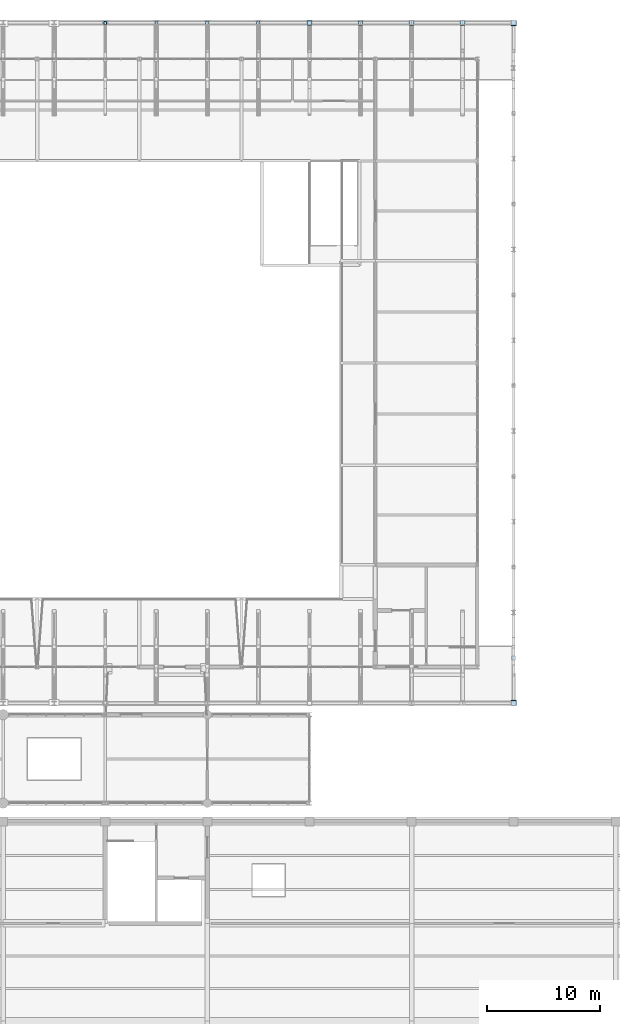
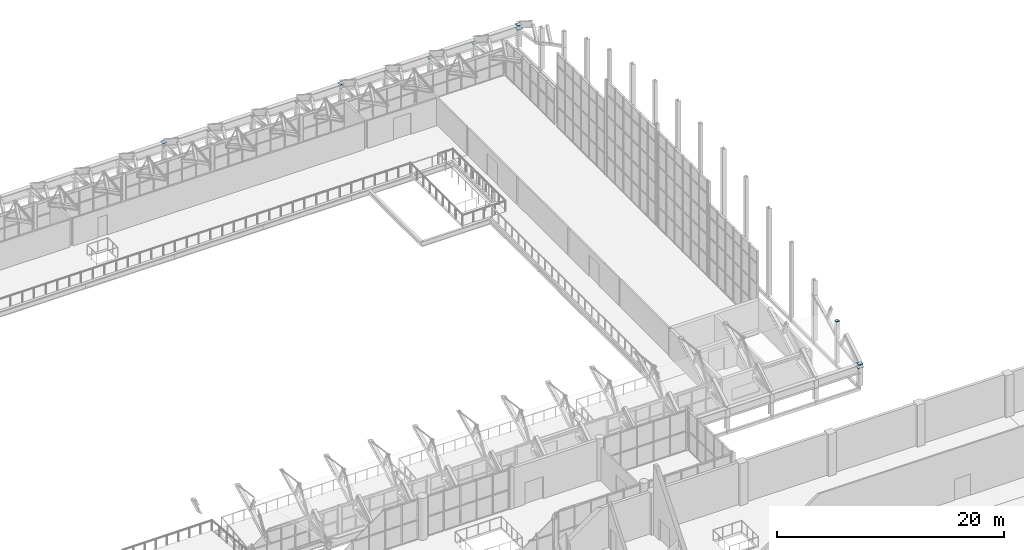
# One storey, part 110 of 134: 15 plates.
"""IFC4 building model written with IfcOpenShell, lengths in metres."""

from ifc_helpers import new_model, si_unit, direction, frame, origin, origin_2d, place, context, subcontext, project, spatial, rectangle, extrude, material, layer, layer_set, type_object, element, save


model = new_model("IFC4")

# Units and contexts
model_context = context("Model", 3, precision=1e-05, world=origin(), true_north=direction((0.0, 1.0)))
body_context = subcontext(model_context, "Body", "Model", "MODEL_VIEW")
ifc_project = project(units=[si_unit("LENGTHUNIT", "METRE"), si_unit("AREAUNIT", "SQUARE_METRE"), si_unit("VOLUMEUNIT", "CUBIC_METRE"), si_unit("PLANEANGLEUNIT", "RADIAN"), si_unit("MASSUNIT", "GRAM", prefix="KILO")], contexts=[model_context])

# Site, building, storey
site_placement = place(None, origin())
site = spatial("IfcSite", under=ifc_project, at=site_placement, CompositionType="ELEMENT")
building_placement = place(site_placement, origin())
building = spatial("IfcBuilding", under=site, at=building_placement, Name="Cazmaro Siding Exhibition Halls", CompositionType="ELEMENT")
storey_placement = place(building_placement, frame((0.0, 0.0, 12.0)))
storey = spatial("IfcBuildingStorey", under=building, at=storey_placement, Name="L02", CompositionType="ELEMENT", Elevation=12.0)

# Plates
ifc_material_1 = material(Name="Steel ASTM A572 Grade 50", Category="steel")
ifc_layer_1 = layer(ifc_material_1, 0.013916015625)
ifc_layer_set_1 = layer_set([ifc_layer_1], Name="Steel ASTM A572 Grade 50")
plate_type_1 = type_object("IfcPlateType", Name="CP-01", PredefinedType="SHEET", material=ifc_layer_set_1)
for number, where, z_axis, x_axis, name in (
    (1, (135.0, 123.949951171875, 1.94287109375), (0.0, 0.0, 1.0), (1.0, 0.0, 0.0), "Space frame vault springing end-cap plate CP-01 node TN-01"),
    (2, (139.5, 123.949951171875, 1.94287109375), (0.0, 0.0, 1.0), (1.0, 0.0, 0.0), "Space frame vault springing end-cap plate CP-01 node TN-01"),
):
    element("IfcPlate", number, at=place(storey_placement, frame(where, z_axis=z_axis, x_axis=x_axis)), inside=storey, type_object=plate_type_1, Name=name, PredefinedType="SHEET", context=body_context, shape_type="SweptSolid", body=[
        extrude(rectangle(XDim=0.260009765625, YDim=0.260009765625, at=origin_2d()), origin(), (0.0, 0.0, 1.0), 0.013916015625),
    ])
ifc_material_2 = material(Name="Steel ASTM A572 Grade 50", Category="steel")
ifc_layer_2 = layer(ifc_material_2, 0.02001953125)
ifc_layer_set_2 = layer_set([ifc_layer_2], Name="Steel ASTM A572 Grade 50")
plate_type_2 = type_object("IfcPlateType", Name="CP-02", PredefinedType="SHEET", material=ifc_layer_set_2)
for number, where, z_axis, x_axis, name in (
    (3, (171.0, 68.0, 4.47900390625), (0.0, 0.0, 1.0), (1.0, 0.0, 0.0), "HSS column top end-cap plate CP-02"),
    (4, (144.0, 123.949951171875, 1.93994140625), (0.0, 0.0, 1.0), (1.0, 0.0, 0.0), "Space frame vault springing end-cap plate CP-02 node TN-01"),
    (5, (148.5, 123.949951171875, 1.93994140625), (0.0, 0.0, 1.0), (1.0, 0.0, 0.0), "Space frame vault springing end-cap plate CP-02 node TN-01"),
):
    element("IfcPlate", number, at=place(storey_placement, frame(where, z_axis=z_axis, x_axis=x_axis)), inside=storey, type_object=plate_type_2, Name=name, PredefinedType="SHEET", context=body_context, shape_type="SweptSolid", body=[
        extrude(rectangle(XDim=0.320068359375, YDim=0.320068359375, at=origin_2d()), origin(), (0.0, 0.0, 1.0), 0.02001953125),
    ])
ifc_material_3 = material(Name="Steel ASTM A572 Grade 50", Category="steel")
ifc_layer_3 = layer(ifc_material_3, 0.02001953125)
ifc_layer_set_3 = layer_set([ifc_layer_3], Name="Steel ASTM A572 Grade 50")
plate_type_3 = type_object("IfcPlateType", Name="CP-03", PredefinedType="SHEET", material=ifc_layer_set_3)
for number, where, z_axis, x_axis, name in (
    (6, (153.0, 123.949951171875, 1.93994140625), (0.0, 0.0, 1.0), (1.0, 0.0, 0.0), "Space frame vault springing end-cap plate CP-03 node TN-01"),
    (7, (157.5, 123.949951171875, 1.93994140625), (0.0, 0.0, 1.0), (1.0, 0.0, 0.0), "Space frame vault springing end-cap plate CP-03 node TN-01"),
):
    element("IfcPlate", number, at=place(storey_placement, frame(where, z_axis=z_axis, x_axis=x_axis)), inside=storey, type_object=plate_type_3, Name=name, PredefinedType="SHEET", context=body_context, shape_type="SweptSolid", body=[
        extrude(rectangle(XDim=0.389892578125, YDim=0.389892578125, at=origin_2d()), origin(), (0.0, 0.0, 1.0), 0.02001953125),
    ])
ifc_material_4 = material(Name="Steel ASTM A572 Grade 50", Category="steel")
ifc_layer_4 = layer(ifc_material_4, 0.0390625)
ifc_layer_set_4 = layer_set([ifc_layer_4], Name="Steel ASTM A572 Grade 50")
plate_type_4 = type_object("IfcPlateType", Name="CP-04", PredefinedType="SHEET", material=ifc_layer_set_4)
for number, where, z_axis, x_axis, name in (
    (8, (135.0, 124.0, 2.300537109375), (0.0, 0.0, 1.0), (1.0, 0.0, 0.0), "HSS column top end-cap plate CP-04"),
    (9, (153.0, 124.0, 2.300537109375), (0.0, 0.0, 1.0), (1.0, 0.0, 0.0), "HSS column top end-cap plate CP-04"),
    (10, (171.0, 64.0, 2.300537109375), (0.0, 0.0, 1.0), (1.0, 0.0, 0.0), "HSS column top end-cap plate CP-04"),
    (11, (171.0, 124.0, 2.300537109375), (0.0, 0.0, 1.0), (1.0, 0.0, 0.0), "HSS column top end-cap plate CP-04"),
    (12, (162.0, 123.949951171875, 1.930419921875), (0.0, 0.0, 1.0), (1.0, 0.0, 0.0), "Space frame vault springing end-cap plate CP-04 node TN-01"),
    (13, (166.5, 123.949951171875, 1.930419921875), (0.0, 0.0, 1.0), (1.0, 0.0, 0.0), "Space frame vault springing end-cap plate CP-04 node TN-01"),
):
    element("IfcPlate", number, at=place(storey_placement, frame(where, z_axis=z_axis, x_axis=x_axis)), inside=storey, type_object=plate_type_4, Name=name, PredefinedType="SHEET", context=body_context, shape_type="SweptSolid", body=[
        extrude(rectangle(XDim=0.43994140625, YDim=0.43994140625, at=origin_2d()), origin(), (0.0, 0.0, 1.0), 0.0390625),
    ])
ifc_material_5 = material(Name="Steel ASTM A572 Grade 50", Category="steel")
ifc_layer_5 = layer(ifc_material_5, 0.049072265625)
ifc_layer_set_5 = layer_set([ifc_layer_5], Name="Steel ASTM A572 Grade 50")
plate_type_5 = type_object("IfcPlateType", Name="CP-05", PredefinedType="SHEET", material=ifc_layer_set_5)
for number, where, z_axis, x_axis, name in (
    (14, (171.0, 64.050048828125, 1.92529296875), (0.0, 0.0, 1.0), (1.0, 0.0, 0.0), "Space frame vault springing end-cap plate CP-05 node TN-01"),
    (15, (171.0, 123.949951171875, 1.92529296875), (0.0, 0.0, 1.0), (1.0, 0.0, 0.0), "Space frame vault springing end-cap plate CP-05 node TN-01"),
):
    element("IfcPlate", number, at=place(storey_placement, frame(where, z_axis=z_axis, x_axis=x_axis)), inside=storey, type_object=plate_type_5, Name=name, PredefinedType="SHEET", context=body_context, shape_type="SweptSolid", body=[
        extrude(rectangle(XDim=0.5, YDim=0.5, at=origin_2d()), origin(), (0.0, 0.0, 1.0), 0.049072265625),
    ])

save(model, "model.ifc")
